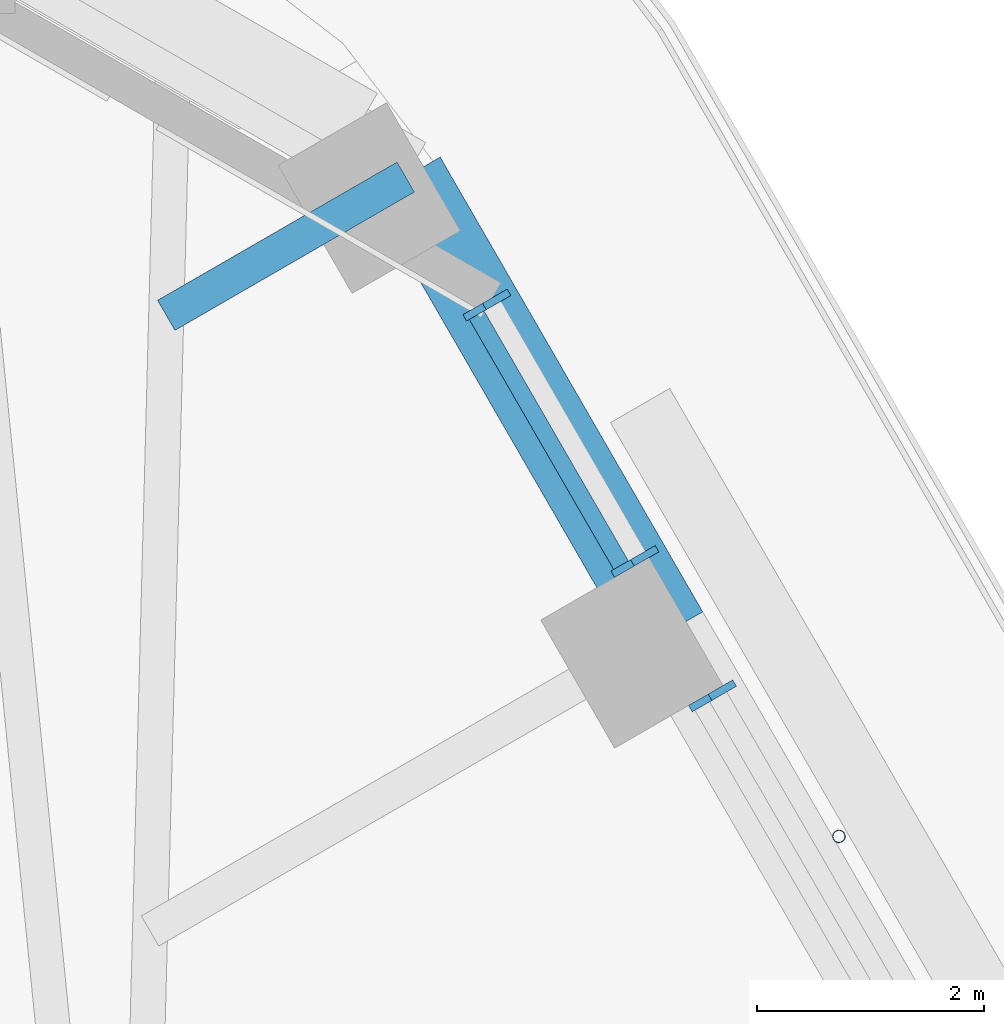
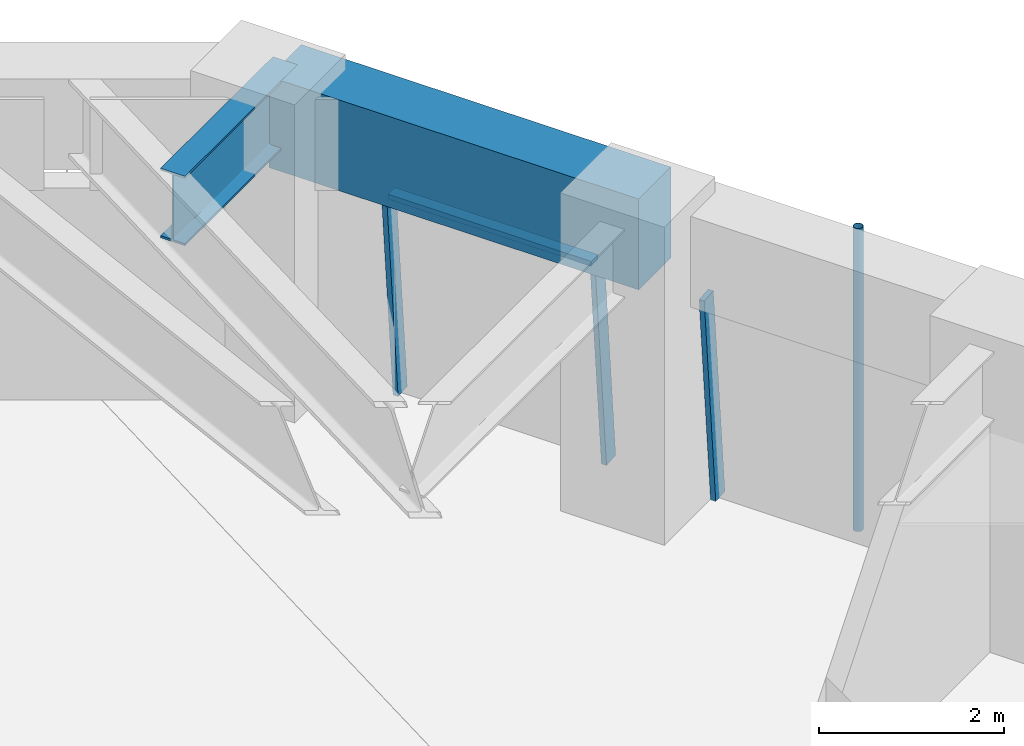
# One storey, part 12 of 20: 5 members, 2 beams, 2 elements without a shape of their own.
"""IFC4 building model written with IfcOpenShell, lengths in metres."""

from ifc_helpers import new_model, si_unit, direction, frame, origin, origin_2d, place, context, subcontext, project, spatial, rectangle, hollow_circle, i_section, extrude, material, material_profile, profile_set, type_object, element, aggregate, save


model = new_model("IFC4")

# Units and contexts
model_context = context("Model", 3, precision=1e-05, world=origin(), true_north=direction((0.0, 1.0)))
body_context = subcontext(model_context, "Body", "Model", "MODEL_VIEW")
ifc_project = project(units=[si_unit("LENGTHUNIT", "METRE"), si_unit("AREAUNIT", "SQUARE_METRE"), si_unit("VOLUMEUNIT", "CUBIC_METRE"), si_unit("PLANEANGLEUNIT", "RADIAN"), si_unit("MASSUNIT", "GRAM", prefix="KILO")], contexts=[model_context])

# Site, building, storey
site_placement = place(None, origin())
site = spatial("IfcSite", under=ifc_project, at=site_placement, CompositionType="ELEMENT")
building_placement = place(site_placement, origin())
building = spatial("IfcBuilding", under=site, at=building_placement, Name="Tarfa Lantern Tower", CompositionType="ELEMENT")
storey_placement = place(building_placement, frame((0.0, 0.0, 253.300048828125)))
storey = spatial("IfcBuildingStorey", under=building, at=storey_placement, Name="L57", CompositionType="ELEMENT", Elevation=253.300048828125)

# Curtain wall, member
ifc_material_1 = material(Name="Aluminium framed curtain wall", Category="aluminium")
curtain_wall_type = type_object("IfcCurtainWallType", Name="CW3 CANTED GLAZING HIGH ZONE 2800", PredefinedType="USERDEFINED", material=ifc_material_1)
curtain_wall_1_placement = place(storey_placement, origin())
curtain_wall_1 = element("IfcCurtainWall", 1, at=curtain_wall_1_placement, inside=storey, type_object=curtain_wall_type, Name="CW3 NE L57", ObjectType="CURTAIN WALL", PredefinedType="USERDEFINED")
ifc_material_2 = material(Name="Aluminium mullion", Category="aluminium")
ifc_material_profile_1 = material_profile(ifc_material_2, rectangle(XDim=0.06494140625, YDim=0.199951171875, at=origin_2d()), Name="AL MULLION 65x200")
ifc_profile_set_1 = profile_set([ifc_material_profile_1], Name="Aluminium mullion")
member_type_1 = type_object("IfcMemberType", Name="CWM1 MULLION 65x200", PredefinedType="MULLION", material=ifc_profile_set_1)
member_1_placement = place(storey_placement, frame((20.75048828125, 21.85888671875, 0.0), z_axis=(-0.076946055247, -0.044465440504, 0.996043236603), x_axis=(0.500342721131, -0.865827443207, 0.0)))
member_1 = element("IfcMember", 2, at=member_1_placement, type_object=member_type_1, Name="CW3 mullion 2", PredefinedType="MULLION", context=body_context, shape_type="SweptSolid", body=[
    extrude(rectangle(XDim=0.06494140625, YDim=0.199951171875, at=origin_2d()), origin(), (0.0, 0.0, 1.0), 2.811279296875),
])
aggregate(curtain_wall_1, [member_1])

# Curtain wall, members
curtain_wall_2_placement = place(storey_placement, origin())
curtain_wall_2 = element("IfcCurtainWall", 3, at=curtain_wall_2_placement, inside=storey, type_object=curtain_wall_type, Name="CW3 NE L57", ObjectType="CURTAIN WALL", PredefinedType="USERDEFINED")
member_2_placement = place(storey_placement, frame((20.068115234375, 23.041015625, 0.0), z_axis=(-0.077032386753, -0.044465143199, 0.996036576854), x_axis=(0.499919672301, -0.866071776036, 0.0)))
member_2 = element("IfcMember", 4, at=member_2_placement, type_object=member_type_1, Name="CW3 mullion 1", PredefinedType="MULLION", context=body_context, shape_type="SweptSolid", body=[
    extrude(rectangle(XDim=0.06494140625, YDim=0.199951171875, at=origin_2d()), origin(), (0.0, 0.0, 1.0), 2.811279296875),
])
member_3_placement = place(storey_placement, frame((18.76611328125, 25.296142578125, 0.0), z_axis=(-0.077032386753, -0.044465143199, 0.996036576854), x_axis=(0.499919672301, -0.866071776036, 0.0)))
member_3 = element("IfcMember", 5, at=member_3_placement, type_object=member_type_1, Name="CW3 mullion 2", PredefinedType="MULLION", context=body_context, shape_type="SweptSolid", body=[
    extrude(rectangle(XDim=0.06494140625, YDim=0.199951171875, at=origin_2d()), origin(), (0.0, 0.0, 1.0), 2.811279296875),
])
ifc_material_3 = material(Name="Aluminium transom", Category="aluminium")
ifc_material_profile_2 = material_profile(ifc_material_3, rectangle(XDim=0.14990234375, YDim=0.06494140625, at=origin_2d()), Name="AL TRANSOM 150x65")
ifc_profile_set_2 = profile_set([ifc_material_profile_2], Name="Aluminium transom")
member_type_2 = type_object("IfcMemberType", Name="CWT1 TRANSOM 150x65", PredefinedType="USERDEFINED", material=ifc_profile_set_2)
member_4_placement = place(storey_placement, frame((19.837890625, 22.945556640625, 2.767333984375), z_axis=(-0.500027655771, 0.866009436129, 0.0), x_axis=(-0.866009436129, -0.500027655771, 0.0)))
member_4 = element("IfcMember", 6, at=member_4_placement, type_object=member_type_2, Name="CW3 transom 1.2", ObjectType="TRANSOM", PredefinedType="USERDEFINED", context=body_context, shape_type="SweptSolid", body=[
    extrude(rectangle(XDim=0.14990234375, YDim=0.06494140625, at=origin_2d()), origin(), (0.0, 0.0, 1.0), 2.538818359375),
])
aggregate(curtain_wall_2, [member_2, member_3, member_4])

# Beam
ifc_material_4 = material(Name="Concrete C80/95", Category="concrete")
ifc_material_profile_3 = material_profile(ifc_material_4, rectangle(XDim=0.699951171875, YDim=1.199951171875, at=origin_2d()), Name="RC 700x1200")
ifc_profile_set_3 = profile_set([ifc_material_profile_3], Name="Concrete C80/95")
beam_type_1 = type_object("IfcBeamType", Name="EB3 RC 700x1200", PredefinedType="SPANDREL", material=ifc_profile_set_3)
beam_1_placement = place(storey_placement, frame((20.25341796875, 22.360107421875, 3.39990234375), z_axis=(-0.499987836815, 0.866032426089, 0.0), x_axis=(-0.866032426089, -0.499987836815, 0.0)))
element("IfcBeam", 7, at=beam_1_placement, inside=storey, type_object=beam_type_1, Name="Edge beam NE5", PredefinedType="SPANDREL", context=body_context, shape_type="SweptSolid", body=[
    extrude(rectangle(XDim=0.699951171875, YDim=1.199951171875, at=origin_2d()), origin(), (0.0, 0.0, 1.0), 4.61865234375),
])

# Member
ifc_material_5 = material(Name="Steel S355", Category="steel")
ifc_material_profile_4 = material_profile(ifc_material_5, hollow_circle(Radius=0.05712890625, WallThickness=0.00634765625, at=origin_2d()), Name="CHS114.3x6.3")
ifc_profile_set_4 = profile_set([ifc_material_profile_4], Name="Steel S355")
member_type_3 = type_object("IfcMemberType", Name="TR1 GREEN WALL TRELLIS CHS114.3x6.3", PredefinedType="USERDEFINED", material=ifc_profile_set_4)
member_5_placement = place(storey_placement, frame((21.754638671875, 20.56005859375, 0.0), z_axis=(0.0, 0.0, 1.0), x_axis=(1.0, 0.0, 0.0)))
element("IfcMember", 8, at=member_5_placement, inside=storey, type_object=member_type_3, Name="Trellis post NE 2", ObjectType="TRELLIS", PredefinedType="USERDEFINED", context=body_context, shape_type="SweptSolid", body=[
    extrude(hollow_circle(Radius=0.05712890625, WallThickness=0.00634765625, at=origin_2d()), origin(), (0.0, 0.0, 1.0), 4.0),
])

# Beam
ifc_material_6 = material(Name="Steel S460M", Category="steel")
ifc_material_profile_5 = material_profile(ifc_material_6, i_section(OverallWidth=0.305419921875, OverallDepth=0.91845703125, WebThickness=0.017333984375, FlangeThickness=0.02783203125, FilletRadius=0.01904296875, at=origin_2d()), Name="UB914x305x253")
ifc_profile_set_5 = profile_set([ifc_material_profile_5], Name="Steel S460M")
beam_type_2 = type_object("IfcBeamType", Name="UB914x305x253", PredefinedType="BEAM", material=ifc_profile_set_5)
beam_2_placement = place(storey_placement, frame((17.944091796875, 26.360107421875, 3.540771484375), z_axis=(-0.865980009423, -0.5000786171, 0.0), x_axis=(0.5000786171, -0.865980009423, 0.0)))
element("IfcBeam", 9, at=beam_2_placement, inside=storey, type_object=beam_type_2, Name="Floor beam NE6", PredefinedType="BEAM", context=body_context, shape_type="SweptSolid", body=[
    extrude(i_section(OverallWidth=0.305419921875, OverallDepth=0.91845703125, WebThickness=0.017333984375, FlangeThickness=0.02783203125, FilletRadius=0.01904296875, at=origin_2d()), origin(), (0.0, 0.0, 1.0), 2.4326171875),
])

save(model, "model.ifc")
